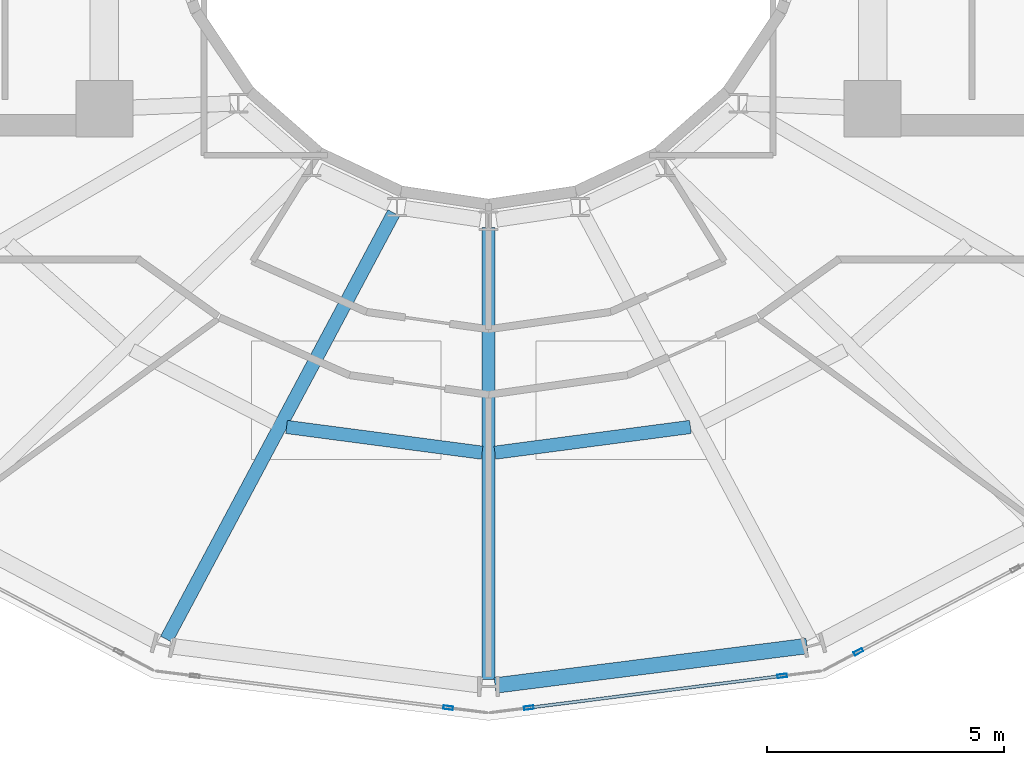
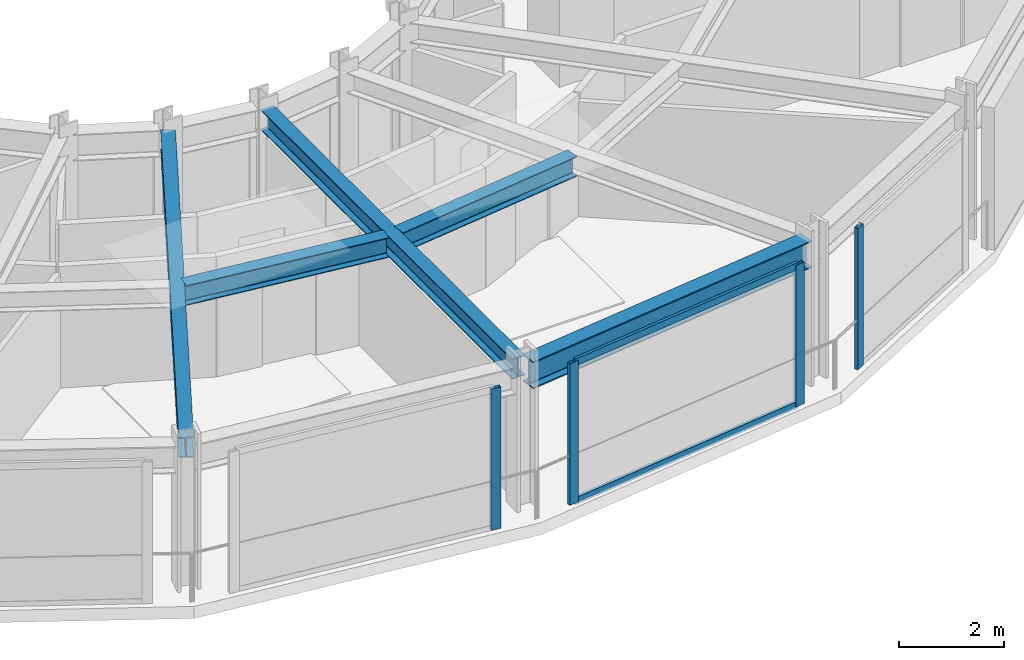
# One storey, part 4 of 19: 6 members, 5 beams, 3 elements without a shape of their own.
"""IFC4 building model written with IfcOpenShell, lengths in metres."""

from ifc_helpers import new_model, si_unit, direction, frame, origin, origin_2d, place, context, subcontext, project, spatial, hollow_rectangle, i_section, extrude, material, layer, layer_set, material_profile, profile_set, type_object, element, aggregate, save


model = new_model("IFC4")

# Units and contexts
model_context = context("Model", 3, precision=1e-05, world=origin(), true_north=direction((0.0, 1.0)))
body_context = subcontext(model_context, "Body", "Model", "MODEL_VIEW")
ifc_project = project(units=[si_unit("LENGTHUNIT", "METRE"), si_unit("AREAUNIT", "SQUARE_METRE"), si_unit("VOLUMEUNIT", "CUBIC_METRE"), si_unit("PLANEANGLEUNIT", "RADIAN"), si_unit("MASSUNIT", "GRAM", prefix="KILO")], contexts=[model_context])

# Site, building, storey
site_placement = place(None, origin())
site = spatial("IfcSite", under=ifc_project, at=site_placement, CompositionType="ELEMENT")
building_placement = place(site_placement, origin())
building = spatial("IfcBuilding", under=site, at=building_placement, Name="Solvane Sanctuary Tower", CompositionType="ELEMENT")
storey_placement = place(building_placement, frame((0.0, 0.0, 242.39990234375)))
storey = spatial("IfcBuildingStorey", under=building, at=storey_placement, Name="L74", CompositionType="ELEMENT", Elevation=242.39990234375)

# Beams
ifc_material_1 = material(Name="Steel ASTM A992 Grade 50", Category="steel")
ifc_material_profile_1 = material_profile(ifc_material_1, i_section(OverallWidth=0.282958984375, OverallDepth=0.471923828125, WebThickness=0.013671875, FlangeThickness=0.022216796875, FilletRadius=0.013916015625, at=origin_2d()), Name="W18X97")
ifc_profile_set_1 = profile_set([ifc_material_profile_1], Name="Steel ASTM A992 Grade 50")
beam_type_1 = type_object("IfcBeamType", Name="Beam B-RAD-Z4 W18X97", PredefinedType="JOIST", material=ifc_profile_set_1)
beam_1_placement = place(storey_placement, frame((30.00341796875, 14.704833984375, 3.08203125), z_axis=(-0.470405435304, -0.882450410185, 0.0), x_axis=(0.882450410185, -0.470405435304, 0.0)))
element("IfcBeam", 1, at=beam_1_placement, inside=storey, type_object=beam_type_1, Name="L74 Radial Composite Floor Beam 10", PredefinedType="JOIST", context=body_context, shape_type="SweptSolid", body=[
    extrude(i_section(OverallWidth=0.282958984375, OverallDepth=0.471923828125, WebThickness=0.013671875, FlangeThickness=0.022216796875, FilletRadius=0.013916015625, at=origin_2d()), origin(), (0.0, 0.0, 1.0), 10.190673828125),
])
beam_2_placement = place(storey_placement, frame((32.0, 14.39990234375, 3.08203125), z_axis=(0.0, -1.0, 0.0), x_axis=(1.0, 0.0, 0.0)))
element("IfcBeam", 2, at=beam_2_placement, inside=storey, type_object=beam_type_1, Name="L74 Radial Composite Floor Beam 11", PredefinedType="JOIST", context=body_context, shape_type="SweptSolid", body=[
    extrude(i_section(OverallWidth=0.282958984375, OverallDepth=0.471923828125, WebThickness=0.013671875, FlangeThickness=0.022216796875, FilletRadius=0.013916015625, at=origin_2d()), origin(), (0.0, 0.0, 1.0), 9.539794921875),
])
ifc_material_profile_2 = material_profile(ifc_material_1, i_section(OverallWidth=0.280029296875, OverallDepth=0.462890625, WebThickness=0.0107421875, FlangeThickness=0.017333984375, FilletRadius=0.013916015625, at=origin_2d()), Name="W18X76")
ifc_profile_set_2 = profile_set([ifc_material_profile_2], Name="Steel ASTM A992 Grade 50")
beam_type_2 = type_object("IfcBeamType", Name="Beam B-SEC-JOIST W18X76", PredefinedType="JOIST", material=ifc_profile_set_2)
for number, where, z_axis, x_axis, name in (
    (3, (27.74169921875, 10.190673828125, 3.086669921875), (0.991439902559, -0.130563852634, 0.0), (0.130563852634, 0.991439902559, 0.0), "L74 Secondary Circumferential Joist 10-11"),
    (4, (32.13525390625, 9.647705078125, 3.086669921875), (0.991439902559, 0.130563852634, 0.0), (-0.130563852634, 0.991439902559, 0.0), "L74 Secondary Circumferential Joist 11-12"),
):
    element("IfcBeam", number, at=place(storey_placement, frame(where, z_axis=z_axis, x_axis=x_axis)), inside=storey, type_object=beam_type_2, Name=name, PredefinedType="JOIST", context=body_context, shape_type="SweptSolid", body=[
        extrude(i_section(OverallWidth=0.280029296875, OverallDepth=0.462890625, WebThickness=0.0107421875, FlangeThickness=0.017333984375, FilletRadius=0.013916015625, at=origin_2d()), origin(), (0.0, 0.0, 1.0), 4.15869140625),
    ])
ifc_material_profile_3 = material_profile(ifc_material_1, i_section(OverallWidth=0.327880859375, OverallDepth=0.6279296875, WebThickness=0.0166015625, FlangeThickness=0.027587890625, FilletRadius=0.01611328125, at=origin_2d()), Name="W24X146")
ifc_profile_set_3 = profile_set([ifc_material_profile_3], Name="Steel ASTM A992 Grade 50")
beam_type_3 = type_object("IfcBeamType", Name="Beam B-SPAND-Z3 W24X146", PredefinedType="SPANDREL", material=ifc_profile_set_3)
beam_3_placement = place(storey_placement, frame((32.138916015625, 4.737548828125, 3.004150390625), z_axis=(0.992068601394, 0.125697613849, 0.0), x_axis=(-0.125697613849, 0.992068601394, 0.0)))
element("IfcBeam", 5, at=beam_3_placement, inside=storey, type_object=beam_type_3, Name="L74 Perimeter Spandrel Beam TC11-TC12", PredefinedType="SPANDREL", context=body_context, shape_type="SweptSolid", body=[
    extrude(i_section(OverallWidth=0.327880859375, OverallDepth=0.6279296875, WebThickness=0.0166015625, FlangeThickness=0.027587890625, FilletRadius=0.01611328125, at=origin_2d()), origin(), (0.0, 0.0, 1.0), 6.630859375),
])

# Curtain wall, member
ifc_material_2 = material(Name="Anodised Aluminium 6063-T6", Category="aluminium")
ifc_layer = layer(ifc_material_2, 0.18994140625, Name="Anodised Aluminium 6063-T6")
ifc_layer_set = layer_set([ifc_layer], Name="Anodised Aluminium 6063-T6")
curtain_wall_type = type_object("IfcCurtainWallType", Name="Curtain Wall CW-OPER", PredefinedType="NOTDEFINED", material=ifc_layer_set)
curtain_wall_1_placement = place(storey_placement, origin())
curtain_wall_1 = element("IfcCurtainWall", 6, at=curtain_wall_1_placement, inside=storey, type_object=curtain_wall_type, Name="L74 CW-OPER Facade Run 17", PredefinedType="NOTDEFINED")
ifc_material_profile_4 = material_profile(ifc_material_2, hollow_rectangle(XDim=0.074951171875, YDim=0.199951171875, WallThickness=0.00390625, at=origin_2d()), Name="ALU200X75X4")
ifc_profile_set_4 = profile_set([ifc_material_profile_4], Name="Anodised Aluminium 6063-T6")
member_type_1 = type_object("IfcMemberType", Name="Member M-CW-MUL-1 ALU200X75X4", PredefinedType="MULLION", material=ifc_profile_set_4)
member_1_placement = place(storey_placement, frame((31.149169921875, 4.269287109375, 0.0), z_axis=(0.0, 0.0, 1.0), x_axis=(0.124814850727, 0.992180050716, 0.0)))
member_1 = element("IfcMember", 7, at=member_1_placement, type_object=member_type_1, Name="CW-OPER mullion 2", PredefinedType="MULLION", context=body_context, shape_type="SweptSolid", body=[
    extrude(hollow_rectangle(XDim=0.074951171875, YDim=0.199951171875, WallThickness=0.00390625, at=origin_2d()), origin(), (0.0, 0.0, 1.0), 3.280029296875),
])
aggregate(curtain_wall_1, [member_1])

# Curtain wall, members
curtain_wall_2_placement = place(storey_placement, origin())
curtain_wall_2 = element("IfcCurtainWall", 8, at=curtain_wall_2_placement, inside=storey, type_object=curtain_wall_type, Name="L74 CW-OPER Facade Run 18", PredefinedType="NOTDEFINED")
member_2_placement = place(storey_placement, frame((32.850830078125, 4.269287109375, 0.0), z_axis=(0.0, 0.0, 1.0), x_axis=(-0.124814850727, 0.992180050716, 0.0)))
member_2 = element("IfcMember", 9, at=member_2_placement, type_object=member_type_1, Name="CW-OPER mullion 1", PredefinedType="MULLION", context=body_context, shape_type="SweptSolid", body=[
    extrude(hollow_rectangle(XDim=0.074951171875, YDim=0.199951171875, WallThickness=0.00390625, at=origin_2d()), origin(), (0.0, 0.0, 1.0), 3.280029296875),
])
member_3_placement = place(storey_placement, frame((38.192138671875, 4.941162109375, 0.0), z_axis=(0.0, 0.0, 1.0), x_axis=(-0.124814850727, 0.992180050716, 0.0)))
member_3 = element("IfcMember", 10, at=member_3_placement, type_object=member_type_1, Name="CW-OPER mullion 2", PredefinedType="MULLION", context=body_context, shape_type="SweptSolid", body=[
    extrude(hollow_rectangle(XDim=0.074951171875, YDim=0.199951171875, WallThickness=0.00390625, at=origin_2d()), origin(), (0.0, 0.0, 1.0), 3.280029296875),
])

# Curtain wall, member
curtain_wall_3_placement = place(storey_placement, origin())
curtain_wall_3 = element("IfcCurtainWall", 11, at=curtain_wall_3_placement, inside=storey, type_object=curtain_wall_type, Name="L74 CW-OPER Facade Run 19", PredefinedType="NOTDEFINED")
member_4_placement = place(storey_placement, frame((39.801025390625, 5.448974609375, 0.0), z_axis=(0.0, 0.0, 1.0), x_axis=(-0.467523293544, 0.883980752049, 0.0)))
member_4 = element("IfcMember", 12, at=member_4_placement, type_object=member_type_1, Name="CW-OPER mullion 1", PredefinedType="MULLION", context=body_context, shape_type="SweptSolid", body=[
    extrude(hollow_rectangle(XDim=0.074951171875, YDim=0.199951171875, WallThickness=0.00390625, at=origin_2d()), origin(), (0.0, 0.0, 1.0), 3.280029296875),
])
aggregate(curtain_wall_3, [member_4])

# Member
ifc_material_profile_5 = material_profile(ifc_material_2, hollow_rectangle(XDim=0.06494140625, YDim=0.159912109375, WallThickness=0.00341796875, at=origin_2d()), Name="ALU160X65X3.5")
ifc_profile_set_5 = profile_set([ifc_material_profile_5], Name="Anodised Aluminium 6063-T6")
member_type_2 = type_object("IfcMemberType", Name="Member M-CW-TRN-1 ALU160X65X3.5", PredefinedType="USERDEFINED", material=ifc_profile_set_5)
member_5_placement = place(storey_placement, frame((32.887939453125, 4.27392578125, 0.03271484375), z_axis=(0.992179929781, 0.124815812062, 0.0), x_axis=(-0.124815812062, 0.992179929781, 0.0)))
member_5 = element("IfcMember", 13, at=member_5_placement, type_object=member_type_2, Name="CW-OPER transom 1.1", ObjectType="TRANSOM", PredefinedType="USERDEFINED", context=body_context, shape_type="SweptSolid", body=[
    extrude(hollow_rectangle(XDim=0.06494140625, YDim=0.159912109375, WallThickness=0.00341796875, at=origin_2d()), origin(), (0.0, 0.0, 1.0), 5.30859375),
])

member_6_placement = place(storey_placement, frame((32.887939453125, 4.27392578125, 3.24755859375), z_axis=(0.992179929781, 0.124815812062, 0.0), x_axis=(-0.124815812062, 0.992179929781, 0.0)))
member_6 = element("IfcMember", 14, at=member_6_placement, type_object=member_type_2, Name="CW-OPER transom 1.2", ObjectType="TRANSOM", PredefinedType="USERDEFINED", context=body_context, shape_type="SweptSolid", body=[
    extrude(hollow_rectangle(XDim=0.06494140625, YDim=0.159912109375, WallThickness=0.00341796875, at=origin_2d()), origin(), (0.0, 0.0, 1.0), 5.30859375),
])

aggregate(curtain_wall_2, [member_2, member_3, member_5, member_6])

save(model, "model.ifc")
